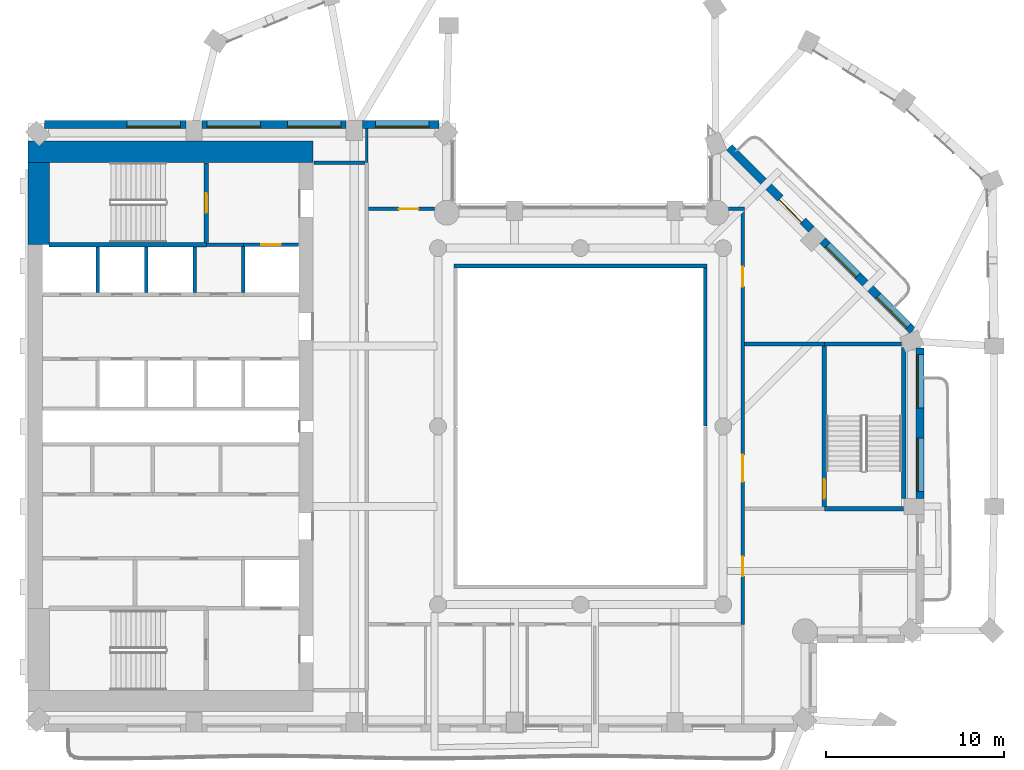
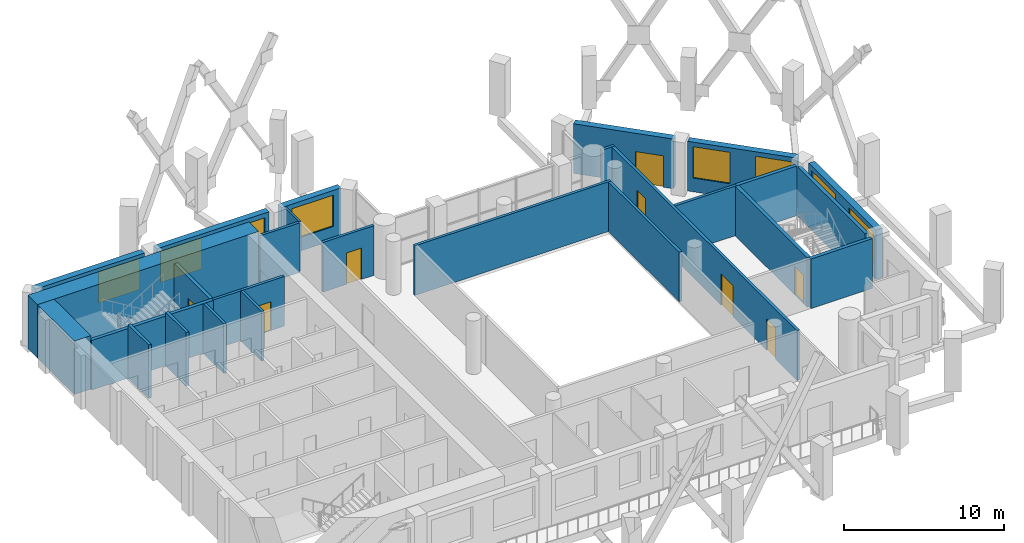
# One storey, part 6 of 15: 28 walls, 8 doors, 8 windows, 16 openings.
"""IFC4 building model written with IfcOpenShell, lengths in metres."""

import ifcopenshell
import ifcopenshell.guid

model = None  # the IFC model being written
_history = None  # IfcOwnerHistory: only IFC2X3 demands one
_inside = {}  # id of a spatial element -> (the spatial element, [elements in it])
_under = {}  # id of a project, library or spatial element -> (it, [spatial elements below it])
_declared = {}  # id of a project -> (the project, [libraries it declares])
_typed = {}  # id of a type object -> (the type object, [elements of that type])
_made_of = {}  # id of a material, layer set ... -> (it, [elements and type objects made of it])


def new_model(schema):
    """Start an empty IFC model of exactly this schema.

    Asked for "IFC4X3", IfcOpenShell would pick the latest addendum, in which some entities
    have other attributes; the version numbers below select the first issue.
    IFC2X3 requires an IfcOwnerHistory on every rooted entity: one is made here for all.
    """
    global model, _history
    if schema == "IFC4X3":
        model = ifcopenshell.file(schema_version=(4, 3, 0, 0))
    else:
        model = ifcopenshell.file(schema=schema)
    _inside.clear()
    _under.clear()
    _declared.clear()
    _typed.clear()
    _made_of.clear()
    _history = None
    if model.schema == "IFC2X3":
        org = make("IfcOrganization", Name="unknown")
        user = make(
            "IfcPersonAndOrganization",
            ThePerson=make("IfcPerson", FamilyName="unknown"),
            TheOrganization=org,
        )
        app = make(
            "IfcApplication",
            ApplicationDeveloper=org,
            Version="unknown",
            ApplicationFullName="unknown",
            ApplicationIdentifier="unknown",
        )
        _history = make(
            "IfcOwnerHistory",
            OwningUser=user,
            OwningApplication=app,
            ChangeAction="ADDED",
            CreationDate=0,
        )
    return model


def make(cls, **values):
    """One entity of the class cls with the attributes given. An attribute that is None is left unset."""
    return model.create_entity(
        cls, **{name: value for name, value in values.items() if value is not None}
    )


def rooted(cls, **values):
    """An entity with a GlobalId (a new one), such as an element, a storey or a relation."""
    return make(cls, GlobalId=ifcopenshell.guid.new(), OwnerHistory=_history, **values)


def si_unit(unit_type, name, prefix=None):
    """IfcSIUnit, for example si_unit("LENGTHUNIT", "METRE", prefix="MILLI")."""
    return make("IfcSIUnit", UnitType=unit_type, Prefix=prefix, Name=name)


def assignment(units):
    """IfcUnitAssignment: the units of a project."""
    return None if units is None else make("IfcUnitAssignment", Units=units)


def point(xyz):
    """IfcCartesianPoint."""
    return None if xyz is None else make("IfcCartesianPoint", Coordinates=xyz)


def direction(xyz):
    """IfcDirection."""
    return None if xyz is None else make("IfcDirection", DirectionRatios=xyz)


def frame(location, z_axis=None, x_axis=None):
    """IfcAxis2Placement3D, a coordinate frame: its origin and axes. An axis left out is left unset."""
    return make(
        "IfcAxis2Placement3D",
        Location=point(location),
        Axis=direction(z_axis),
        RefDirection=direction(x_axis),
    )


def frame_2d(location, x_axis=None):
    """IfcAxis2Placement2D, a coordinate frame in the plane: its origin and x axis."""
    return make(
        "IfcAxis2Placement2D", Location=point(location), RefDirection=direction(x_axis)
    )


def origin():
    """The frame at (0, 0, 0) with its axes left unset."""
    return frame((0.0, 0.0, 0.0))


def place(relative_to, where):
    """IfcLocalPlacement: puts the frame where relative to a parent placement (None: the world)."""
    return make(
        "IfcLocalPlacement", PlacementRelTo=relative_to, RelativePlacement=where
    )


def context(
    kind, dimensions, precision=None, world=None, true_north=None, identifier=None
):
    """IfcGeometricRepresentationContext, for example the 3D "Model" context."""
    return make(
        "IfcGeometricRepresentationContext",
        ContextIdentifier=identifier,
        ContextType=kind,
        CoordinateSpaceDimension=dimensions,
        Precision=precision,
        WorldCoordinateSystem=world,
        TrueNorth=true_north,
    )


def subcontext(parent, identifier, kind, view, scale=None):
    """IfcGeometricRepresentationSubContext, for example "Body" below "Model"."""
    return make(
        "IfcGeometricRepresentationSubContext",
        ContextIdentifier=identifier,
        ContextType=kind,
        ParentContext=parent,
        TargetScale=scale,
        TargetView=view,
    )


def project(units=None, contexts=None):
    """IfcProject with its units and contexts."""
    return rooted(
        "IfcProject",
        Name="project",
        RepresentationContexts=contexts,
        UnitsInContext=assignment(units),
    )


def spatial(cls, under=None, at=None, **own):
    """A site, building, storey or space (cls), placed at a placement, below another one or the project."""
    s = rooted(cls, ObjectPlacement=at, **own)
    if under is not None:
        _under.setdefault(under.id(), (under, []))[1].append(s)
    return s


def profile(cls, at=None, kind="AREA", **sizes):
    """A parametric profile (cls). Its sizes go by their IFC names, for example OverallWidth=200.0."""
    return make(cls, ProfileType=kind, Position=at, **sizes)


def rectangle(**sizes):
    """IfcRectangleProfileDef."""
    return profile("IfcRectangleProfileDef", **sizes)


def extrude(swept, where, along, depth):
    """IfcExtrudedAreaSolid: the profile swept, set in the frame where, extruded along a direction by depth."""
    return make(
        "IfcExtrudedAreaSolid",
        SweptArea=swept,
        Position=where,
        ExtrudedDirection=direction(along),
        Depth=depth,
    )


def shape(context_of_items, identifier, shape_type, items):
    """IfcShapeRepresentation: the items that make up one representation, for example the "Body"."""
    return make(
        "IfcShapeRepresentation",
        ContextOfItems=context_of_items,
        RepresentationIdentifier=identifier,
        RepresentationType=shape_type,
        Items=items,
    )


def material(Name=None, Category=None):
    """IfcMaterial."""
    return make("IfcMaterial", Name=Name, Category=Category)


def layer(
    of_material, thickness, ventilated=None, Name=None, Category=None, Priority=None
):
    """IfcMaterialLayer: one layer of a wall or slab, of a material (None: an air gap)."""
    return make(
        "IfcMaterialLayer",
        Material=of_material,
        LayerThickness=thickness,
        IsVentilated=ventilated,
        Name=Name,
        Category=Category,
        Priority=Priority,
    )


def layer_set(layers, Name=None):
    """IfcMaterialLayerSet."""
    return make("IfcMaterialLayerSet", MaterialLayers=layers, LayerSetName=Name)


def made_of(thing, what):
    """Note that an element or type object is made of a material, layer set ...; save() writes the relation."""
    if what is not None:
        _made_of.setdefault(what.id(), (what, []))[1].append(thing)
    return thing


def type_object(cls, material=None, **own):
    """A type object (cls), such as IfcWallType, which elements share."""
    return made_of(rooted(cls, **own), material)


def element(
    cls,
    number,
    at=None,
    inside=None,
    cuts=None,
    type_object=None,
    material=None,
    context=None,
    identifier="Body",
    shape_type=None,
    held_by="IfcProductDefinitionShape",
    body=None,
    shapes=None,
    **own,
):
    """One element of the class cls, such as IfcWall. Its Tag is "e" and its number.

    at: its placement. inside: the storey or other place that contains it. cuts: it is an
    opening in that element (IfcRelVoidsElement). A single representation is given by context,
    identifier, shape_type and body (its items); several are given by shapes. held_by: the class
    of the entity that holds the representations. save() writes the other relations.
    """
    e = rooted(cls, Tag="e%d" % number, ObjectPlacement=at, **own)
    if body is not None:
        shapes = [shape(context, identifier, shape_type, body)]
    if shapes is not None:
        e.Representation = make(held_by, Representations=shapes)
    if inside is not None:
        _inside.setdefault(inside.id(), (inside, []))[1].append(e)
    if cuts is not None:
        rooted(
            "IfcRelVoidsElement", RelatingBuildingElement=cuts, RelatedOpeningElement=e
        )
    if type_object is not None:
        _typed.setdefault(type_object.id(), (type_object, []))[1].append(e)
    return made_of(e, material)


def fill(opening, filler):
    """IfcRelFillsElement: the door or window that sits in an opening."""
    return rooted(
        "IfcRelFillsElement",
        RelatingOpeningElement=opening,
        RelatedBuildingElement=filler,
    )


def aggregate(whole, parts):
    """IfcRelAggregates: a whole, such as a stair, and the parts it consists of."""
    return rooted("IfcRelAggregates", RelatingObject=whole, RelatedObjects=parts)


def save(model, path):
    """Write the relations noted so far, then the file.

    IfcRelAggregates (storeys below a building ...), IfcRelContainedInSpatialStructure (elements
    in a storey), IfcRelDefinesByType, IfcRelAssociatesMaterial and IfcRelDeclares: one each for
    every whole, place, type object, material and project.
    """
    for whole, parts in _under.values():
        aggregate(whole, parts)
    for where, things in _inside.values():
        rooted(
            "IfcRelContainedInSpatialStructure",
            RelatedElements=things,
            RelatingStructure=where,
        )
    for kind, things in _typed.values():
        rooted("IfcRelDefinesByType", RelatedObjects=things, RelatingType=kind)
    for what, things in _made_of.values():
        rooted("IfcRelAssociatesMaterial", RelatedObjects=things, RelatingMaterial=what)
    for by, libraries in _declared.values():
        rooted("IfcRelDeclares", RelatingContext=by, RelatedDefinitions=libraries)
    model.write(path)


model = new_model("IFC4")

# Units and contexts
model_context = context("Model", 3, precision=1e-05, world=origin(), true_north=direction((0.0, 1.0)))
body_context = subcontext(model_context, "Body", "Model", "MODEL_VIEW")
ifc_project = project(units=[si_unit("LENGTHUNIT", "METRE"), si_unit("AREAUNIT", "SQUARE_METRE"), si_unit("VOLUMEUNIT", "CUBIC_METRE"), si_unit("PLANEANGLEUNIT", "RADIAN"), si_unit("MASSUNIT", "GRAM", prefix="KILO")], contexts=[model_context])

# Site, building, storey
site_placement = place(None, origin())
site = spatial("IfcSite", under=ifc_project, at=site_placement, CompositionType="ELEMENT")
building_placement = place(site_placement, origin())
building = spatial("IfcBuilding", under=site, at=building_placement, Name="Cypress Arch Tower", CompositionType="ELEMENT")
storey_placement = place(building_placement, frame((0.0, 0.0, 193.300048828125)))
storey = spatial("IfcBuildingStorey", under=building, at=storey_placement, Name="L42", CompositionType="ELEMENT", Elevation=193.300048828125)

# Wall, openings, windows
ifc_material_1 = material(Name="Brick (red buff blend)", Category="masonry")
ifc_layer_1 = layer(ifc_material_1, 0.449951171875)
ifc_layer_set_1 = layer_set([ifc_layer_1], Name="Brick pier and spandrel wall BW450")
wall_type_1 = type_object("IfcWallType", Name="Brick pier and spandrel wall BW450", PredefinedType="SOLIDWALL", material=ifc_layer_set_1)
wall_1_placement = place(storey_placement, frame((20.02490234375, -4.050048828125, 0.0), z_axis=(0.0, 0.0, 1.0), x_axis=(0.0, 1.0, 0.0)))
wall_1 = element("IfcWall", 1, at=wall_1_placement, inside=storey, type_object=wall_type_1, Name="Brick wall L42 B04.1", PredefinedType="SOLIDWALL", context=body_context, shape_type="SweptSolid", body=[
    extrude(rectangle(XDim=8.438720703125, YDim=0.449951171875, at=frame_2d((4.21923828125, 0.0))), origin(), (0.0, 0.0, 1.0), 3.800048828125),
])
opening_1_placement = place(wall_1_placement, frame((0.39404296875, 0.0, 1.050048828125)))
opening_1 = element("IfcOpeningElement", 2, at=opening_1_placement, cuts=wall_1, Name="Opening W300OD", PredefinedType="OPENING", context=body_context, shape_type="SweptSolid", body=[
    extrude(rectangle(XDim=3.0, YDim=2.39990234375, at=frame_2d((1.5, 1.199951171875))), frame((0.0, 0.23486328125, 0.0), z_axis=(0.0, -1.0, 0.0), x_axis=(1.0, 0.0, 0.0)), (0.0, 0.0, 1.0), 0.469970703125),
])
opening_2_placement = place(wall_1_placement, frame((5.081787109375, 0.0, 1.050048828125)))
opening_2 = element("IfcOpeningElement", 3, at=opening_2_placement, cuts=wall_1, Name="Opening W300OD", PredefinedType="OPENING", context=body_context, shape_type="SweptSolid", body=[
    extrude(rectangle(XDim=3.0, YDim=2.39990234375, at=frame_2d((1.5, 1.199951171875))), frame((0.0, 0.23486328125, 0.0), z_axis=(0.0, -1.0, 0.0), x_axis=(1.0, 0.0, 0.0)), (0.0, 0.0, 1.0), 0.469970703125),
])
ifc_material_2 = material(Name="Anodised aluminium, bronze finish, laminated low-emissivity double glazing, large-missile impact rated", Category="aluminium")
window_type_1 = type_object("IfcWindowType", Name="Window Office 3000x2400 debris-rated", PartitioningType="SINGLE_PANEL", PredefinedType="WINDOW", material=ifc_material_2)
window_1_placement = place(opening_1_placement, origin())
window_1 = element("IfcWindow", 4, at=window_1_placement, inside=storey, type_object=window_type_1, Name="Window L42 B04.1.1", OverallHeight=2.39990234375, OverallWidth=3.0, PartitioningType="SINGLE_PANEL", PredefinedType="WINDOW", context=body_context, shape_type="SweptSolid", body=[
    extrude(rectangle(XDim=3.0, YDim=2.39990234375, at=frame_2d((1.5, 1.199951171875))), frame((0.0, 0.135009765625, 0.0), z_axis=(0.0, -1.0, 0.0), x_axis=(1.0, 0.0, 0.0)), (0.0, 0.0, 1.0), 0.06005859375),
])
fill(opening_1, window_1)
window_2_placement = place(opening_2_placement, origin())
window_2 = element("IfcWindow", 5, at=window_2_placement, inside=storey, type_object=window_type_1, Name="Window L42 B04.1.2", OverallHeight=2.39990234375, OverallWidth=3.0, PartitioningType="SINGLE_PANEL", PredefinedType="WINDOW", context=body_context, shape_type="SweptSolid", body=[
    extrude(rectangle(XDim=3.0, YDim=2.39990234375, at=frame_2d((1.5, 1.199951171875))), frame((0.0, 0.135009765625, 0.0), z_axis=(0.0, -1.0, 0.0), x_axis=(1.0, 0.0, 0.0)), (0.0, 0.0, 1.0), 0.06005859375),
])
fill(opening_2, window_2)

wall_2_placement = place(storey_placement, frame((19.61474609375, 5.379150390625, 0.0), z_axis=(0.0, 0.0, 1.0), x_axis=(-0.707089646058, 0.7071239159, 0.0)))
wall_2 = element("IfcWall", 6, at=wall_2_placement, inside=storey, type_object=wall_type_1, Name="Brick wall L42 B05.0", PredefinedType="SOLIDWALL", context=body_context, shape_type="SweptSolid", body=[
    extrude(rectangle(XDim=7.1240234375, YDim=0.449951171875, at=frame_2d((3.56201171875, 0.0))), origin(), (0.0, 0.0, 1.0), 3.800048828125),
])
opening_3_placement = place(wall_2_placement, frame((0.328125, 0.0, 1.050048828125)))
opening_3 = element("IfcOpeningElement", 7, at=opening_3_placement, cuts=wall_2, Name="Opening W240OD", PredefinedType="OPENING", context=body_context, shape_type="SweptSolid", body=[
    extrude(rectangle(XDim=2.39990234375, YDim=2.39990234375, at=frame_2d((1.199951171875, 1.199951171875))), frame((0.0, 0.23486328125, 0.0), z_axis=(0.0, -1.0, 0.0), x_axis=(1.0, 0.0, 0.0)), (0.0, 0.0, 1.0), 0.469970703125),
])
opening_4_placement = place(wall_2_placement, frame((4.358642578125, 0.0, 1.050048828125)))
opening_4 = element("IfcOpeningElement", 8, at=opening_4_placement, cuts=wall_2, Name="Opening W240OD", PredefinedType="OPENING", context=body_context, shape_type="SweptSolid", body=[
    extrude(rectangle(XDim=2.39990234375, YDim=2.39990234375, at=frame_2d((1.199951171875, 1.199951171875))), frame((0.0, 0.23486328125, 0.0), z_axis=(0.0, -1.0, 0.0), x_axis=(1.0, 0.0, 0.0)), (0.0, 0.0, 1.0), 0.469970703125),
])
ifc_material_3 = material(Name="Anodised aluminium, bronze finish, laminated low-emissivity double glazing, large-missile impact rated", Category="aluminium")
window_type_2 = type_object("IfcWindowType", Name="Window Office 2400x2400 debris-rated", PartitioningType="SINGLE_PANEL", PredefinedType="WINDOW", material=ifc_material_3)
window_3_placement = place(opening_3_placement, origin())
window_3 = element("IfcWindow", 9, at=window_3_placement, inside=storey, type_object=window_type_2, Name="Window L42 B05.0.1", OverallHeight=2.39990234375, OverallWidth=2.39990234375, PartitioningType="SINGLE_PANEL", PredefinedType="WINDOW", context=body_context, shape_type="SweptSolid", body=[
    extrude(rectangle(XDim=2.39990234375, YDim=2.39990234375, at=frame_2d((1.199951171875, 1.199951171875))), frame((0.0, 0.135009765625, 0.0), z_axis=(0.0, -1.0, 0.0), x_axis=(1.0, 0.0, 0.0)), (0.0, 0.0, 1.0), 0.06005859375),
])
fill(opening_3, window_3)
window_4_placement = place(opening_4_placement, origin())
window_4 = element("IfcWindow", 10, at=window_4_placement, inside=storey, type_object=window_type_2, Name="Window L42 B05.0.2", OverallHeight=2.39990234375, OverallWidth=2.39990234375, PartitioningType="SINGLE_PANEL", PredefinedType="WINDOW", context=body_context, shape_type="SweptSolid", body=[
    extrude(rectangle(XDim=2.39990234375, YDim=2.39990234375, at=frame_2d((1.199951171875, 1.199951171875))), frame((0.0, 0.135009765625, 0.0), z_axis=(0.0, -1.0, 0.0), x_axis=(1.0, 0.0, 0.0)), (0.0, 0.0, 1.0), 0.06005859375),
])
fill(opening_4, window_4)

# Wall, opening, door
wall_3_placement = place(storey_placement, frame((13.94091796875, 11.052978515625, 0.0), z_axis=(0.0, 0.0, 1.0), x_axis=(-0.707106781187, 0.707106781187, 0.0)))
wall_3 = element("IfcWall", 11, at=wall_3_placement, inside=storey, type_object=wall_type_1, Name="Brick wall L42 B05.1", PredefinedType="SOLIDWALL", context=body_context, shape_type="SweptSolid", body=[
    extrude(rectangle(XDim=6.505126953125, YDim=0.449951171875, at=frame_2d((3.25244140625, 0.0))), origin(), (0.0, 0.0, 1.0), 3.800048828125),
])
opening_5_placement = place(wall_3_placement, frame((0.665283203125, 0.0, 0.0)))
opening_5 = element("IfcOpeningElement", 12, at=opening_5_placement, cuts=wall_3, Name="Opening D-L42-B05.1.1", PredefinedType="OPENING", context=body_context, shape_type="SweptSolid", body=[
    extrude(rectangle(XDim=1.800048828125, YDim=2.39990234375, at=frame_2d((0.89990234375, 1.199951171875))), frame((0.0, 0.23486328125, 0.0), z_axis=(0.0, -1.0, 0.0), x_axis=(1.0, 0.0, 0.0)), (0.0, 0.0, 1.0), 0.469970703125),
])
ifc_material_4 = material(Name="Anodised aluminium, bronze finish, laminated low-emissivity double glazing, large-missile impact rated", Category="aluminium")
door_type_1 = type_object("IfcDoorType", Name="Balcony sliding door 1800x2400", OperationType="SLIDING_TO_LEFT", PredefinedType="DOOR", material=ifc_material_4)
door_1_placement = place(opening_5_placement, origin())
door_1 = element("IfcDoor", 13, at=door_1_placement, inside=storey, type_object=door_type_1, Name="Balcony door L42 B05.1.1", OperationType="SLIDING_TO_LEFT", OverallHeight=2.39990234375, OverallWidth=1.800048828125, PredefinedType="DOOR", context=body_context, shape_type="SweptSolid", body=[
    extrude(rectangle(XDim=1.800048828125, YDim=2.39990234375, at=frame_2d((0.89990234375, 1.199951171875))), frame((0.0, 0.1298828125, 0.0), z_axis=(0.0, -1.0, 0.0), x_axis=(1.0, 0.0, 0.0)), (0.0, 0.0, 1.0), 0.050048828125),
])
fill(opening_5, door_1)

# Wall, opening, window
wall_4_placement = place(storey_placement, frame((-6.936279296875, 16.925048828125, 0.0), z_axis=(0.0, 0.0, 1.0), x_axis=(-1.0, 0.0, 0.0)))
wall_4 = element("IfcWall", 14, at=wall_4_placement, inside=storey, type_object=wall_type_1, Name="Brick wall L42 B09.0", PredefinedType="SOLIDWALL", context=body_context, shape_type="SweptSolid", body=[
    extrude(rectangle(XDim=4.313720703125, YDim=0.449951171875, at=frame_2d((2.15673828125, 0.0))), origin(), (0.0, 0.0, 1.0), 3.800048828125),
])
opening_6_placement = place(wall_4_placement, frame((0.563720703125, 0.0, 1.050048828125)))
opening_6 = element("IfcOpeningElement", 15, at=opening_6_placement, cuts=wall_4, Name="Opening W300O", PredefinedType="OPENING", context=body_context, shape_type="SweptSolid", body=[
    extrude(rectangle(XDim=3.0, YDim=2.39990234375, at=frame_2d((1.5, 1.199951171875))), frame((0.0, 0.23486328125, 0.0), z_axis=(0.0, -1.0, 0.0), x_axis=(1.0, 0.0, 0.0)), (0.0, 0.0, 1.0), 0.469970703125),
])
ifc_material_5 = material(Name="Anodised aluminium, bronze finish, clear low-emissivity double glazing", Category="aluminium")
window_type_3 = type_object("IfcWindowType", Name="Window Office 3000x2400", PartitioningType="SINGLE_PANEL", PredefinedType="WINDOW", material=ifc_material_5)
window_5_placement = place(opening_6_placement, origin())
window_5 = element("IfcWindow", 16, at=window_5_placement, inside=storey, type_object=window_type_3, Name="Window L42 B09.0.1", OverallHeight=2.39990234375, OverallWidth=3.0, PartitioningType="SINGLE_PANEL", PredefinedType="WINDOW", context=body_context, shape_type="SweptSolid", body=[
    extrude(rectangle(XDim=3.0, YDim=2.39990234375, at=frame_2d((1.5, 1.199951171875))), frame((0.0, 0.135009765625, 0.0), z_axis=(0.0, -1.0, 0.0), x_axis=(1.0, 0.0, 0.0)), (0.0, 0.0, 1.0), 0.06005859375),
])
fill(opening_6, window_5)

# Wall, openings, windows
wall_5_placement = place(storey_placement, frame((-12.14990234375, 16.925048828125, 0.0), z_axis=(0.0, 0.0, 1.0), x_axis=(-1.0, 0.0, 0.0)))
wall_5 = element("IfcWall", 17, at=wall_5_placement, inside=storey, type_object=wall_type_1, Name="Brick wall L42 B09.1", PredefinedType="SOLIDWALL", context=body_context, shape_type="SweptSolid", body=[
    extrude(rectangle(XDim=8.10009765625, YDim=0.449951171875, at=frame_2d((4.050048828125, 0.0))), origin(), (0.0, 0.0, 1.0), 3.800048828125),
])
opening_7_placement = place(wall_5_placement, frame((0.300048828125, 0.0, 1.050048828125)))
opening_7 = element("IfcOpeningElement", 18, at=opening_7_placement, cuts=wall_5, Name="Opening W300O", PredefinedType="OPENING", context=body_context, shape_type="SweptSolid", body=[
    extrude(rectangle(XDim=3.0, YDim=2.39990234375, at=frame_2d((1.5, 1.199951171875))), frame((0.0, 0.23486328125, 0.0), z_axis=(0.0, -1.0, 0.0), x_axis=(1.0, 0.0, 0.0)), (0.0, 0.0, 1.0), 0.469970703125),
])
opening_8_placement = place(wall_5_placement, frame((4.800048828125, 0.0, 1.050048828125)))
opening_8 = element("IfcOpeningElement", 19, at=opening_8_placement, cuts=wall_5, Name="Opening W300O", PredefinedType="OPENING", context=body_context, shape_type="SweptSolid", body=[
    extrude(rectangle(XDim=3.0, YDim=2.39990234375, at=frame_2d((1.5, 1.199951171875))), frame((0.0, 0.23486328125, 0.0), z_axis=(0.0, -1.0, 0.0), x_axis=(1.0, 0.0, 0.0)), (0.0, 0.0, 1.0), 0.469970703125),
])
window_6_placement = place(opening_7_placement, origin())
window_6 = element("IfcWindow", 20, at=window_6_placement, inside=storey, type_object=window_type_3, Name="Window L42 B09.1.1", OverallHeight=2.39990234375, OverallWidth=3.0, PartitioningType="SINGLE_PANEL", PredefinedType="WINDOW", context=body_context, shape_type="SweptSolid", body=[
    extrude(rectangle(XDim=3.0, YDim=2.39990234375, at=frame_2d((1.5, 1.199951171875))), frame((0.0, 0.135009765625, 0.0), z_axis=(0.0, -1.0, 0.0), x_axis=(1.0, 0.0, 0.0)), (0.0, 0.0, 1.0), 0.06005859375),
])
fill(opening_7, window_6)
window_7_placement = place(opening_8_placement, origin())
window_7 = element("IfcWindow", 21, at=window_7_placement, inside=storey, type_object=window_type_3, Name="Window L42 B09.1.2", OverallHeight=2.39990234375, OverallWidth=3.0, PartitioningType="SINGLE_PANEL", PredefinedType="WINDOW", context=body_context, shape_type="SweptSolid", body=[
    extrude(rectangle(XDim=3.0, YDim=2.39990234375, at=frame_2d((1.5, 1.199951171875))), frame((0.0, 0.135009765625, 0.0), z_axis=(0.0, -1.0, 0.0), x_axis=(1.0, 0.0, 0.0)), (0.0, 0.0, 1.0), 0.06005859375),
])
fill(opening_8, window_7)

# Wall, opening, window
wall_6_placement = place(storey_placement, frame((-21.14990234375, 16.925048828125, 0.0), z_axis=(0.0, 0.0, 1.0), x_axis=(-1.0, 0.0, 0.0)))
wall_6 = element("IfcWall", 22, at=wall_6_placement, inside=storey, type_object=wall_type_1, Name="Brick wall L42 B09.2", PredefinedType="SOLIDWALL", context=body_context, shape_type="SweptSolid", body=[
    extrude(rectangle(XDim=7.913818359375, YDim=0.449951171875, at=frame_2d((3.95703125, 0.0))), origin(), (0.0, 0.0, 1.0), 3.800048828125),
])
opening_9_placement = place(wall_6_placement, frame((0.300048828125, 0.0, 1.050048828125)))
opening_9 = element("IfcOpeningElement", 23, at=opening_9_placement, cuts=wall_6, Name="Opening W300O", PredefinedType="OPENING", context=body_context, shape_type="SweptSolid", body=[
    extrude(rectangle(XDim=3.0, YDim=2.39990234375, at=frame_2d((1.5, 1.199951171875))), frame((0.0, 0.23486328125, 0.0), z_axis=(0.0, -1.0, 0.0), x_axis=(1.0, 0.0, 0.0)), (0.0, 0.0, 1.0), 0.469970703125),
])
window_8_placement = place(opening_9_placement, origin())
window_8 = element("IfcWindow", 24, at=window_8_placement, inside=storey, type_object=window_type_3, Name="Window L42 B09.2.1", OverallHeight=2.39990234375, OverallWidth=3.0, PartitioningType="SINGLE_PANEL", PredefinedType="WINDOW", context=body_context, shape_type="SweptSolid", body=[
    extrude(rectangle(XDim=3.0, YDim=2.39990234375, at=frame_2d((1.5, 1.199951171875))), frame((0.0, 0.135009765625, 0.0), z_axis=(0.0, -1.0, 0.0), x_axis=(1.0, 0.0, 0.0)), (0.0, 0.0, 1.0), 0.06005859375),
])
fill(opening_9, window_8)

# Walls
ifc_material_6 = material(Name="Concrete C70/85", Category="concrete")
ifc_layer_2 = layer(ifc_material_6, 1.199951171875)
ifc_layer_set_2 = layer_set([ifc_layer_2], Name="Core wall CW1200 C70/85")
wall_type_2 = type_object("IfcWallType", Name="Core wall CW1200 C70/85", PredefinedType="SHEAR", material=ifc_layer_set_2)
wall_7_placement = place(storey_placement, frame((-30.0, 15.39990234375, 0.0), z_axis=(0.0, 0.0, 1.0), x_axis=(1.0, 0.0, 0.0)))
element("IfcWall", 25, at=wall_7_placement, inside=storey, type_object=wall_type_2, Name="Core wall", PredefinedType="SHEAR", context=body_context, shape_type="SweptSolid", body=[
    extrude(rectangle(XDim=16.0, YDim=1.199951171875, at=frame_2d((8.0, 0.0))), origin(), (0.0, 0.0, 1.0), 4.099853515625),
])
wall_8_placement = place(storey_placement, frame((-29.39990234375, 10.199951171875, 0.0), z_axis=(0.0, 0.0, 1.0), x_axis=(0.0, 1.0, 0.0)))
element("IfcWall", 26, at=wall_8_placement, inside=storey, type_object=wall_type_2, Name="Core wall", PredefinedType="SHEAR", context=body_context, shape_type="SweptSolid", body=[
    extrude(rectangle(XDim=4.60009765625, YDim=1.199951171875, at=frame_2d((2.300048828125, 0.0))), origin(), (0.0, 0.0, 1.0), 4.099853515625),
])
ifc_material_7 = material(Name="Concrete blockwork, plastered, rated", Category="masonry")
ifc_layer_3 = layer(ifc_material_7, 0.199951171875)
ifc_layer_set_3 = layer_set([ifc_layer_3], Name="Corridor wall FW200")
wall_type_3 = type_object("IfcWallType", Name="Corridor wall FW200", PredefinedType="PARTITIONING", material=ifc_layer_set_3)
wall_9_placement = place(storey_placement, frame((-20.0, 10.199951171875, 0.0), z_axis=(0.0, 0.0, 1.0), x_axis=(1.0, 0.0, 0.0)))
element("IfcWall", 27, at=wall_9_placement, inside=storey, type_object=wall_type_3, Name="Corridor wall", PredefinedType="PARTITIONING", context=body_context, shape_type="SweptSolid", body=[
    extrude(rectangle(XDim=2.080078125, YDim=0.199951171875, at=frame_2d((1.0400390625, 0.0))), origin(), (0.0, 0.0, 1.0), 3.800048828125),
])
wall_10_placement = place(storey_placement, frame((-13.969970703125, 14.800048828125, 0.0), z_axis=(0.0, 0.0, 1.0), x_axis=(1.0, 0.0, 0.0)))
element("IfcWall", 28, at=wall_10_placement, inside=storey, type_object=wall_type_3, Name="Corridor wall", PredefinedType="PARTITIONING", context=body_context, shape_type="SweptSolid", body=[
    extrude(rectangle(XDim=2.869873046875, YDim=0.199951171875, at=frame_2d((1.43505859375, 0.0))), origin(), (0.0, 0.0, 1.0), 3.800048828125),
])

# Wall, opening, door
wall_11_placement = place(storey_placement, frame((-10.89990234375, 12.199951171875, 0.0), z_axis=(0.0, 0.0, 1.0), x_axis=(1.0, 0.0, 0.0)))
wall_11 = element("IfcWall", 29, at=wall_11_placement, inside=storey, type_object=wall_type_3, Name="Corridor wall", PredefinedType="PARTITIONING", context=body_context, shape_type="SweptSolid", body=[
    extrude(rectangle(XDim=3.7041015625, YDim=0.199951171875, at=frame_2d((1.85205078125, 0.0))), origin(), (0.0, 0.0, 1.0), 3.800048828125),
])
opening_10_placement = place(wall_11_placement, frame((1.699951171875, 0.0, 0.0)))
opening_10 = element("IfcOpeningElement", 30, at=opening_10_placement, cuts=wall_11, Name="Opening D01", PredefinedType="OPENING", context=body_context, shape_type="SweptSolid", body=[
    extrude(rectangle(XDim=1.10009765625, YDim=2.39990234375, at=frame_2d((0.550048828125, 1.199951171875))), frame((0.0, 0.10986328125, 0.0), z_axis=(0.0, -1.0, 0.0), x_axis=(1.0, 0.0, 0.0)), (0.0, 0.0, 1.0), 0.219970703125),
])
ifc_material_8 = material(Name="Timber flush door, fire resisting, self-closing", Category="wood")
door_type_2 = type_object("IfcDoorType", Name="Unit entrance door D01 1100x2400", OperationType="SINGLE_SWING_LEFT", PredefinedType="DOOR", material=ifc_material_8)
door_2_placement = place(opening_10_placement, origin())
door_2 = element("IfcDoor", 31, at=door_2_placement, inside=storey, type_object=door_type_2, Name="Unit entrance door", OperationType="SINGLE_SWING_RIGHT", OverallHeight=2.39990234375, OverallWidth=1.10009765625, PredefinedType="DOOR", context=body_context, shape_type="SweptSolid", body=[
    extrude(rectangle(XDim=1.10009765625, YDim=2.39990234375, at=frame_2d((0.550048828125, 1.199951171875))), frame((0.0, 0.02490234375, 0.0), z_axis=(0.0, -1.0, 0.0), x_axis=(1.0, 0.0, 0.0)), (0.0, 0.0, 1.0), 0.050048828125),
])
fill(opening_10, door_2)

# Walls
wall_12_placement = place(storey_placement, frame((-6.10009765625, 9.0, 0.0), z_axis=(0.0, 0.0, 1.0), x_axis=(1.0, 0.0, 0.0)))
element("IfcWall", 32, at=wall_12_placement, inside=storey, type_object=wall_type_3, Name="Corridor wall", PredefinedType="PARTITIONING", context=body_context, shape_type="SweptSolid", body=[
    extrude(rectangle(XDim=14.2001953125, YDim=0.199951171875, at=frame_2d((7.10009765625, 0.0))), origin(), (0.0, 0.0, 1.0), 3.800048828125),
])
wall_13_placement = place(storey_placement, frame((8.0, 0.02001953125, 0.0), z_axis=(0.0, 0.0, 1.0), x_axis=(0.0, 1.0, 0.0)))
element("IfcWall", 33, at=wall_13_placement, inside=storey, type_object=wall_type_3, Name="Corridor wall", PredefinedType="PARTITIONING", context=body_context, shape_type="SweptSolid", body=[
    extrude(rectangle(XDim=8.8798828125, YDim=0.199951171875, at=frame_2d((4.43994140625, 0.0))), origin(), (0.0, 0.0, 1.0), 3.800048828125),
])
wall_14_placement = place(storey_placement, frame((9.295654296875, 12.199951171875, 0.0), z_axis=(0.0, 0.0, 1.0), x_axis=(1.0, 0.0, 0.0)))
element("IfcWall", 34, at=wall_14_placement, inside=storey, type_object=wall_type_3, Name="Corridor wall", PredefinedType="PARTITIONING", context=body_context, shape_type="SweptSolid", body=[
    extrude(rectangle(XDim=0.904296875, YDim=0.199951171875, at=frame_2d((0.4521484375, 0.0))), origin(), (0.0, 0.0, 1.0), 3.800048828125),
])

# Wall, openings, doors
wall_15_placement = place(storey_placement, frame((10.10009765625, -11.10009765625, 0.0), z_axis=(0.0, 0.0, 1.0), x_axis=(0.0, 1.0, 0.0)))
wall_15 = element("IfcWall", 35, at=wall_15_placement, inside=storey, type_object=wall_type_3, Name="Corridor wall", PredefinedType="PARTITIONING", context=body_context, shape_type="SweptSolid", body=[
    extrude(rectangle(XDim=23.2001953125, YDim=0.199951171875, at=frame_2d((11.60009765625, 0.0))), origin(), (0.0, 0.0, 1.0), 3.800048828125),
])
opening_11_placement = place(wall_15_placement, frame((8.0, 0.0, 0.0)))
opening_11 = element("IfcOpeningElement", 36, at=opening_11_placement, cuts=wall_15, Name="Opening D07", PredefinedType="OPENING", context=body_context, shape_type="SweptSolid", body=[
    extrude(rectangle(XDim=1.5, YDim=2.39990234375, at=frame_2d((0.75, 1.199951171875))), frame((0.0, 0.10986328125, 0.0), z_axis=(0.0, -1.0, 0.0), x_axis=(1.0, 0.0, 0.0)), (0.0, 0.0, 1.0), 0.219970703125),
])
opening_12_placement = place(wall_15_placement, frame((18.949951171875, 0.0, 0.0)))
opening_12 = element("IfcOpeningElement", 37, at=opening_12_placement, cuts=wall_15, Name="Opening D01", PredefinedType="OPENING", context=body_context, shape_type="SweptSolid", body=[
    extrude(rectangle(XDim=1.10009765625, YDim=2.39990234375, at=frame_2d((0.550048828125, 1.199951171875))), frame((0.0, 0.10986328125, 0.0), z_axis=(0.0, -1.0, 0.0), x_axis=(1.0, 0.0, 0.0)), (0.0, 0.0, 1.0), 0.219970703125),
])
opening_13_placement = place(wall_15_placement, frame((2.699951171875, 0.0, 0.0)))
opening_13 = element("IfcOpeningElement", 38, at=opening_13_placement, cuts=wall_15, Name="Opening D01", PredefinedType="OPENING", context=body_context, shape_type="SweptSolid", body=[
    extrude(rectangle(XDim=1.10009765625, YDim=2.39990234375, at=frame_2d((0.550048828125, 1.199951171875))), frame((0.0, 0.10986328125, 0.0), z_axis=(0.0, -1.0, 0.0), x_axis=(1.0, 0.0, 0.0)), (0.0, 0.0, 1.0), 0.219970703125),
])
ifc_material_9 = material(Name="Steel framed glazed door, fire resisting", Category="steel")
door_type_3 = type_object("IfcDoorType", Name="Lobby door D07 1500x2400", OperationType="DOUBLE_DOOR_SINGLE_SWING", PredefinedType="DOOR", material=ifc_material_9)
door_3_placement = place(opening_11_placement, origin())
door_3 = element("IfcDoor", 39, at=door_3_placement, inside=storey, type_object=door_type_3, Name="Lobby door", OperationType="DOUBLE_DOOR_SINGLE_SWING", OverallHeight=2.39990234375, OverallWidth=1.5, PredefinedType="DOOR", context=body_context, shape_type="SweptSolid", body=[
    extrude(rectangle(XDim=1.5, YDim=2.39990234375, at=frame_2d((0.75, 1.199951171875))), frame((0.0, 0.02490234375, 0.0), z_axis=(0.0, -1.0, 0.0), x_axis=(1.0, 0.0, 0.0)), (0.0, 0.0, 1.0), 0.050048828125),
])
fill(opening_11, door_3)
door_4_placement = place(opening_12_placement, origin())
door_4 = element("IfcDoor", 40, at=door_4_placement, inside=storey, type_object=door_type_2, Name="Unit entrance door", OperationType="SINGLE_SWING_LEFT", OverallHeight=2.39990234375, OverallWidth=1.10009765625, PredefinedType="DOOR", context=body_context, shape_type="SweptSolid", body=[
    extrude(rectangle(XDim=1.10009765625, YDim=2.39990234375, at=frame_2d((0.550048828125, 1.199951171875))), frame((0.0, 0.02490234375, 0.0), z_axis=(0.0, -1.0, 0.0), x_axis=(1.0, 0.0, 0.0)), (0.0, 0.0, 1.0), 0.050048828125),
])
fill(opening_12, door_4)
door_5_placement = place(opening_13_placement, origin())
door_5 = element("IfcDoor", 41, at=door_5_placement, inside=storey, type_object=door_type_2, Name="Unit entrance door", OperationType="SINGLE_SWING_LEFT", OverallHeight=2.39990234375, OverallWidth=1.10009765625, PredefinedType="DOOR", context=body_context, shape_type="SweptSolid", body=[
    extrude(rectangle(XDim=1.10009765625, YDim=2.39990234375, at=frame_2d((0.550048828125, 1.199951171875))), frame((0.0, 0.02490234375, 0.0), z_axis=(0.0, -1.0, 0.0), x_axis=(1.0, 0.0, 0.0)), (0.0, 0.0, 1.0), 0.050048828125),
])
fill(opening_13, door_5)

# Walls
wall_16_placement = place(storey_placement, frame((10.199951171875, 4.625, 0.0), z_axis=(0.0, 0.0, 1.0), x_axis=(1.0, 0.0, 0.0)))
element("IfcWall", 42, at=wall_16_placement, inside=storey, type_object=wall_type_3, Name="Corridor wall", PredefinedType="PARTITIONING", context=body_context, shape_type="SweptSolid", body=[
    extrude(rectangle(XDim=4.47509765625, YDim=0.199951171875, at=frame_2d((2.237548828125, 0.0))), origin(), (0.0, 0.0, 1.0), 3.800048828125),
])
ifc_material_10 = material(Name="Blockwork, plastered both sides", Category="masonry")
ifc_layer_4 = layer(ifc_material_10, 0.14990234375)
ifc_layer_set_4 = layer_set([ifc_layer_4], Name="Partition PW150")
wall_type_4 = type_object("IfcWallType", Name="Partition PW150", PredefinedType="PARTITIONING", material=ifc_layer_set_4)
wall_17_placement = place(storey_placement, frame((-11.0, 14.820068359375, 0.0), z_axis=(0.0, 0.0, 1.0), x_axis=(0.0, 1.0, 0.0)))
element("IfcWall", 43, at=wall_17_placement, inside=storey, type_object=wall_type_4, Name="Partition", PredefinedType="PARTITIONING", context=body_context, shape_type="SweptSolid", body=[
    extrude(rectangle(XDim=1.8798828125, YDim=0.14990234375, at=frame_2d((0.93994140625, 0.0))), origin(), (0.0, 0.0, 1.0), 3.800048828125),
])
ifc_material_11 = material(Name="Concrete C50/60", Category="concrete")
ifc_layer_5 = layer(ifc_material_11, 0.199951171875)
ifc_layer_set_5 = layer_set([ifc_layer_5], Name="Shaft wall SH200")
wall_type_5 = type_object("IfcWallType", Name="Shaft wall SH200", PredefinedType="SHEAR", material=ifc_layer_set_5)
for number, where, z_axis, x_axis, name in (
    (44, (-26.080078125, 7.5, 0.0), (0.0, 0.0, 1.0), (0.0, 1.0, 0.0), "Shaft wall"),
    (45, (-23.360107421875, 7.5, 0.0), (0.0, 0.0, 1.0), (0.0, 1.0, 0.0), "Shaft wall"),
):
    element("IfcWall", number, at=place(storey_placement, frame(where, z_axis=z_axis, x_axis=x_axis)), inside=storey, type_object=wall_type_5, Name=name, PredefinedType="SHEAR", context=body_context, shape_type="SweptSolid", body=[
        extrude(rectangle(XDim=2.574951171875, YDim=0.199951171875, at=frame_2d((1.28759765625, 0.0))), origin(), (0.0, 0.0, 1.0), 4.099853515625),
    ])
wall_18_placement = place(storey_placement, frame((-20.639892578125, 7.5, 0.0), z_axis=(0.0, 0.0, 1.0), x_axis=(0.0, 1.0, 0.0)))
element("IfcWall", 46, at=wall_18_placement, inside=storey, type_object=wall_type_5, Name="Shaft wall", PredefinedType="SHEAR", context=body_context, shape_type="SweptSolid", body=[
    extrude(rectangle(XDim=2.574951171875, YDim=0.199951171875, at=frame_2d((1.28759765625, 0.0))), origin(), (0.0, 0.0, 1.0), 3.800048828125),
])
wall_19_placement = place(storey_placement, frame((-17.919921875, 7.5, 0.0), z_axis=(0.0, 0.0, 1.0), x_axis=(0.0, 1.0, 0.0)))
element("IfcWall", 47, at=wall_19_placement, inside=storey, type_object=wall_type_5, Name="Shaft wall", PredefinedType="SHEAR", context=body_context, shape_type="SweptSolid", body=[
    extrude(rectangle(XDim=2.60009765625, YDim=0.199951171875, at=frame_2d((1.300048828125, 0.0))), origin(), (0.0, 0.0, 1.0), 3.800048828125),
])

# Wall, opening, door
wall_20_placement = place(storey_placement, frame((-17.919921875, 10.199951171875, 0.0), z_axis=(0.0, 0.0, 1.0), x_axis=(1.0, 0.0, 0.0)))
wall_20 = element("IfcWall", 48, at=wall_20_placement, inside=storey, type_object=wall_type_5, Name="Shaft wall", PredefinedType="SHEAR", context=body_context, shape_type="SweptSolid", body=[
    extrude(rectangle(XDim=3.08984375, YDim=0.199951171875, at=frame_2d((1.544921875, 0.0))), origin(), (0.0, 0.0, 1.0), 3.800048828125),
])
opening_14_placement = place(wall_20_placement, frame((1.0, 0.0, 0.0)))
opening_14 = element("IfcOpeningElement", 49, at=opening_14_placement, cuts=wall_20, Name="Opening LD-FL2", PredefinedType="OPENING", context=body_context, shape_type="SweptSolid", body=[
    extrude(rectangle(XDim=1.10009765625, YDim=2.199951171875, at=frame_2d((0.550048828125, 1.10009765625))), frame((0.0, 0.10986328125, 0.0), z_axis=(0.0, -1.0, 0.0), x_axis=(1.0, 0.0, 0.0)), (0.0, 0.0, 1.0), 0.219970703125),
])
ifc_material_12 = material(Name="Stainless steel centre-opening landing door, rated", Category="steel")
door_type_4 = type_object("IfcDoorType", Name="Lift landing door LD 1100x2200", OperationType="DOUBLE_DOOR_SLIDING", PredefinedType="DOOR", material=ifc_material_12)
door_6_placement = place(opening_14_placement, origin())
door_6 = element("IfcDoor", 50, at=door_6_placement, inside=storey, type_object=door_type_4, Name="Lift landing doors FL2", OperationType="DOUBLE_DOOR_SLIDING", OverallHeight=2.199951171875, OverallWidth=1.10009765625, PredefinedType="DOOR", context=body_context, shape_type="SweptSolid", body=[
    extrude(rectangle(XDim=1.10009765625, YDim=2.199951171875, at=frame_2d((0.550048828125, 1.10009765625))), frame((0.0, 0.02490234375, 0.0), z_axis=(0.0, -1.0, 0.0), x_axis=(1.0, 0.0, 0.0)), (0.0, 0.0, 1.0), 0.050048828125),
])
fill(opening_14, door_6)

# Wall
ifc_material_13 = material(Name="Concrete C50/60", Category="concrete")
ifc_layer_6 = layer(ifc_material_13, 0.25)
ifc_layer_set_6 = layer_set([ifc_layer_6], Name="Stair enclosure wall SW250")
wall_type_6 = type_object("IfcWallType", Name="Stair enclosure wall SW250", PredefinedType="SHEAR", material=ifc_layer_set_6)
wall_21_placement = place(storey_placement, frame((-28.81005859375, 10.199951171875, 0.0), z_axis=(0.0, 0.0, 1.0), x_axis=(1.0, 0.0, 0.0)))
element("IfcWall", 51, at=wall_21_placement, inside=storey, type_object=wall_type_6, Name="Stair enclosure wall", PredefinedType="SHEAR", context=body_context, shape_type="SweptSolid", body=[
    extrude(rectangle(XDim=8.81005859375, YDim=0.25, at=frame_2d((4.405029296875, 0.0))), origin(), (0.0, 0.0, 1.0), 3.800048828125),
])

# Wall, opening, door
wall_22_placement = place(storey_placement, frame((-20.0, 10.324951171875, 0.0), z_axis=(0.0, 0.0, 1.0), x_axis=(0.0, 1.0, 0.0)))
wall_22 = element("IfcWall", 52, at=wall_22_placement, inside=storey, type_object=wall_type_6, Name="Stair enclosure wall", PredefinedType="SHEAR", context=body_context, shape_type="SweptSolid", body=[
    extrude(rectangle(XDim=4.445068359375, YDim=0.25, at=frame_2d((2.22265625, 0.0))), origin(), (0.0, 0.0, 1.0), 3.800048828125),
])
opening_15_placement = place(wall_22_placement, frame((1.64990234375, 0.0, 0.0)))
opening_15 = element("IfcOpeningElement", 53, at=opening_15_placement, cuts=wall_22, Name="Opening D06", PredefinedType="OPENING", context=body_context, shape_type="SweptSolid", body=[
    extrude(rectangle(XDim=1.10009765625, YDim=2.199951171875, at=frame_2d((0.550048828125, 1.10009765625))), frame((0.0, 0.135009765625, 0.0), z_axis=(0.0, -1.0, 0.0), x_axis=(1.0, 0.0, 0.0)), (0.0, 0.0, 1.0), 0.27001953125),
])
ifc_material_14 = material(Name="Steel door, fire resisting, panic bar", Category="steel")
door_type_5 = type_object("IfcDoorType", Name="Stair door D06 1100x2200", OperationType="SINGLE_SWING_LEFT", PredefinedType="DOOR", material=ifc_material_14)
door_7_placement = place(opening_15_placement, origin())
door_7 = element("IfcDoor", 54, at=door_7_placement, inside=storey, type_object=door_type_5, Name="Stair door", OperationType="SINGLE_SWING_LEFT", OverallHeight=2.199951171875, OverallWidth=1.10009765625, PredefinedType="DOOR", context=body_context, shape_type="SweptSolid", body=[
    extrude(rectangle(XDim=1.10009765625, YDim=2.199951171875, at=frame_2d((0.550048828125, 1.10009765625))), frame((0.0, 0.02490234375, 0.0), z_axis=(0.0, -1.0, 0.0), x_axis=(1.0, 0.0, 0.0)), (0.0, 0.0, 1.0), 0.050048828125),
])
fill(opening_15, door_7)

wall_23_placement = place(storey_placement, frame((14.675048828125, -4.5, 0.0), z_axis=(0.0, 0.0, 1.0), x_axis=(0.0, 1.0, 0.0)))
wall_23 = element("IfcWall", 55, at=wall_23_placement, inside=storey, type_object=wall_type_6, Name="Stair enclosure wall", PredefinedType="SHEAR", context=body_context, shape_type="SweptSolid", body=[
    extrude(rectangle(XDim=9.0, YDim=0.25, at=frame_2d((4.5, 0.0))), origin(), (0.0, 0.0, 1.0), 3.800048828125),
])
opening_16_placement = place(wall_23_placement, frame((0.449951171875, 0.0, 0.0)))
opening_16 = element("IfcOpeningElement", 56, at=opening_16_placement, cuts=wall_23, Name="Opening D06", PredefinedType="OPENING", context=body_context, shape_type="SweptSolid", body=[
    extrude(rectangle(XDim=1.10009765625, YDim=2.199951171875, at=frame_2d((0.550048828125, 1.10009765625))), frame((0.0, 0.135009765625, 0.0), z_axis=(0.0, -1.0, 0.0), x_axis=(1.0, 0.0, 0.0)), (0.0, 0.0, 1.0), 0.27001953125),
])
door_8_placement = place(opening_16_placement, origin())
door_8 = element("IfcDoor", 57, at=door_8_placement, inside=storey, type_object=door_type_5, Name="Stair door", OperationType="SINGLE_SWING_RIGHT", OverallHeight=2.199951171875, OverallWidth=1.10009765625, PredefinedType="DOOR", context=body_context, shape_type="SweptSolid", body=[
    extrude(rectangle(XDim=1.10009765625, YDim=2.199951171875, at=frame_2d((0.550048828125, 1.10009765625))), frame((0.0, 0.02490234375, 0.0), z_axis=(0.0, -1.0, 0.0), x_axis=(1.0, 0.0, 0.0)), (0.0, 0.0, 1.0), 0.050048828125),
])
fill(opening_16, door_8)

# Walls
wall_24_placement = place(storey_placement, frame((14.675048828125, -4.625, 0.0), z_axis=(0.0, 0.0, 1.0), x_axis=(1.0, 0.0, 0.0)))
element("IfcWall", 58, at=wall_24_placement, inside=storey, type_object=wall_type_6, Name="Stair enclosure wall", PredefinedType="SHEAR", context=body_context, shape_type="SweptSolid", body=[
    extrude(rectangle(XDim=4.449951171875, YDim=0.25, at=frame_2d((2.22509765625, 0.0))), origin(), (0.0, 0.0, 1.0), 3.800048828125),
])
wall_25_placement = place(storey_placement, frame((14.675048828125, 4.625, 0.0), z_axis=(0.0, 0.0, 1.0), x_axis=(1.0, 0.0, 0.0)))
element("IfcWall", 59, at=wall_25_placement, inside=storey, type_object=wall_type_6, Name="Stair enclosure wall", PredefinedType="SHEAR", context=body_context, shape_type="SweptSolid", body=[
    extrude(rectangle(XDim=4.32373046875, YDim=0.25, at=frame_2d((2.161865234375, 0.0))), origin(), (0.0, 0.0, 1.0), 3.800048828125),
])
wall_26_placement = place(storey_placement, frame((19.125, -4.050048828125, 0.0), z_axis=(0.0, 0.0, 1.0), x_axis=(0.0, 1.0, 0.0)))
element("IfcWall", 60, at=wall_26_placement, inside=storey, type_object=wall_type_6, Name="Stair enclosure wall", PredefinedType="SHEAR", context=body_context, shape_type="SweptSolid", body=[
    extrude(rectangle(XDim=8.4765625, YDim=0.25, at=frame_2d((4.23828125, 0.0))), origin(), (0.0, 0.0, 1.0), 3.800048828125),
])

save(model, "model.ifc")
